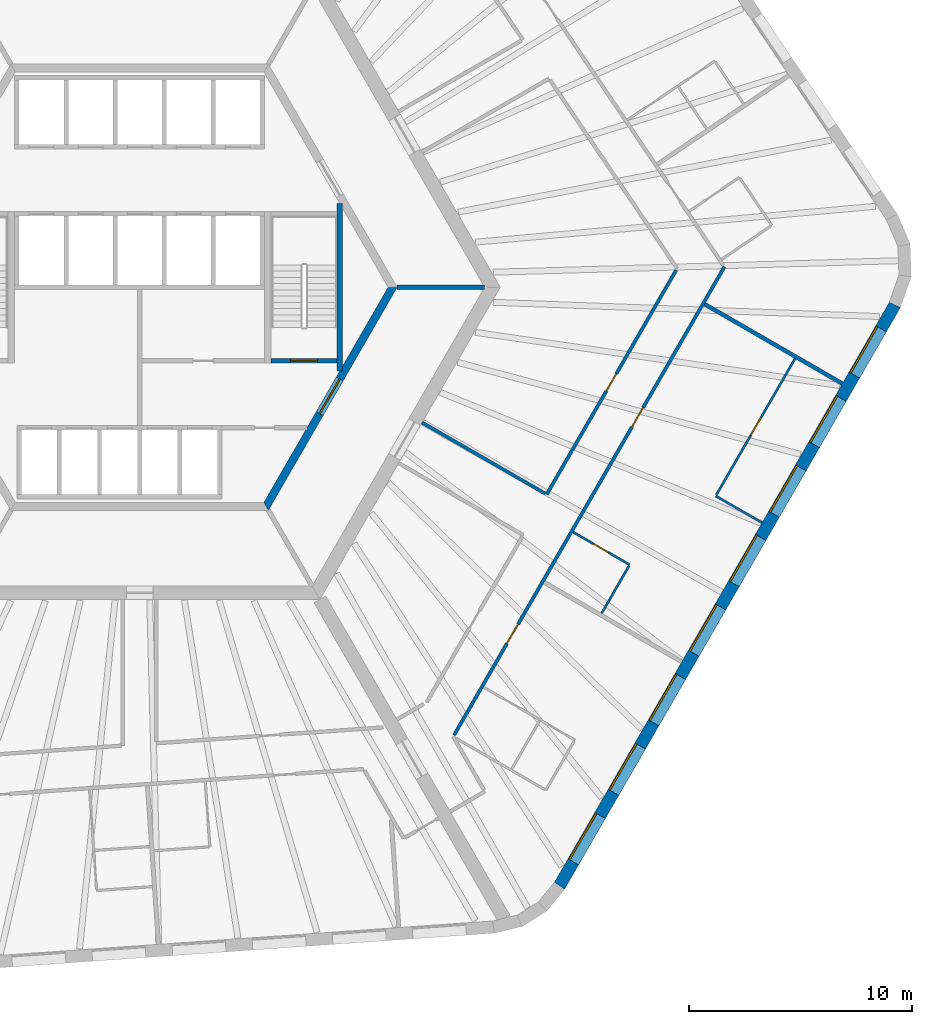
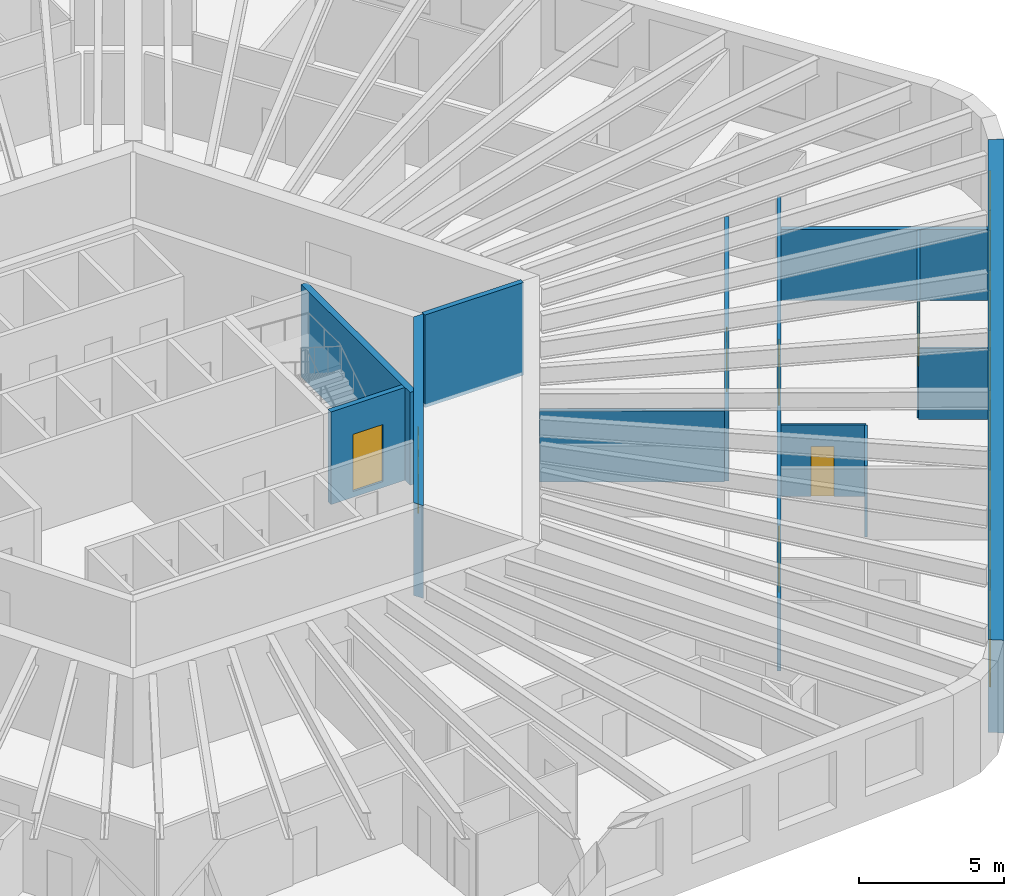
# One storey, part 6 of 11: 13 walls, 8 windows, 7 doors, 15 openings.
"""IFC4 building model written with IfcOpenShell, lengths in metres."""

from ifc_helpers import new_model, si_unit, direction, frame, frame_2d, origin, place, context, subcontext, project, spatial, polyline, rectangle, outline, extrude, material, layer, layer_set, type_object, element, fill, save


model = new_model("IFC4")

# Units and contexts
model_context = context("Model", 3, precision=1e-05, world=origin(), true_north=direction((0.0, 1.0)))
body_context = subcontext(model_context, "Body", "Model", "MODEL_VIEW")
ifc_project = project(units=[si_unit("LENGTHUNIT", "METRE"), si_unit("AREAUNIT", "SQUARE_METRE"), si_unit("VOLUMEUNIT", "CUBIC_METRE"), si_unit("PLANEANGLEUNIT", "RADIAN"), si_unit("MASSUNIT", "GRAM", prefix="KILO")], contexts=[model_context])

# Site, building, storey
site_placement = place(None, origin())
site = spatial("IfcSite", under=ifc_project, at=site_placement, CompositionType="ELEMENT")
building_placement = place(site_placement, origin())
building = spatial("IfcBuilding", under=site, at=building_placement, Name="Tarnside Tower", CompositionType="ELEMENT")
storey_placement = place(building_placement, frame((0.0, 0.0, 107.699951171875)))
storey = spatial("IfcBuildingStorey", under=building, at=storey_placement, Name="L24", CompositionType="ELEMENT", Elevation=107.699951171875)

# Wall, opening, door
ifc_material_1 = material(Name="Gypsum board partition on steel studs", Category="steel")
ifc_layer_1 = layer(ifc_material_1, 0.10009765625)
ifc_layer_set_1 = layer_set([ifc_layer_1], Name="Bathroom wall 100")
wall_type_1 = type_object("IfcWallType", Name="Bathroom wall 100", PredefinedType="PARTITIONING", material=ifc_layer_set_1)
wall_1_placement = place(storey_placement, frame((19.439453125, -10.979736328125, 0.0), z_axis=(0.0, 0.0, 1.0), x_axis=(0.866046596414, -0.499963291492, 0.0)))
wall_1 = element("IfcWall", 1, at=wall_1_placement, inside=storey, type_object=wall_type_1, Name="Bathroom wall 07139", PredefinedType="PARTITIONING", context=body_context, shape_type="SweptSolid", body=[
    extrude(rectangle(XDim=2.925048828125, YDim=0.10009765625, at=frame_2d((1.46240234375, 0.0))), origin(), (0.0, 0.0, 1.0), 2.98779296875),
])
opening_1_placement = place(wall_1_placement, frame((1.02490234375, 0.0, 0.0)))
opening_1 = element("IfcOpeningElement", 2, at=opening_1_placement, cuts=wall_1, Name="Opening D-B1", PredefinedType="OPENING", context=body_context, shape_type="SweptSolid", body=[
    extrude(rectangle(XDim=0.800048828125, YDim=2.10009765625, at=frame_2d((0.39990234375, 1.050048828125))), frame((0.0, 0.06005859375, 0.0), z_axis=(0.0, -1.0, 0.0), x_axis=(1.0, 0.0, 0.0)), (0.0, 0.0, 1.0), 0.1201171875),
])
ifc_material_2 = material(Name="Timber door leaf", Category="wood")
door_type_1 = type_object("IfcDoorType", Name="Bathroom door 800", OperationType="NOTDEFINED", PredefinedType="DOOR", material=ifc_material_2)
door_1_placement = place(opening_1_placement, origin())
door_1 = element("IfcDoor", 3, at=door_1_placement, inside=storey, type_object=door_type_1, Name="Bathroom door 07033", OperationType="SINGLE_SWING_RIGHT", OverallHeight=2.10009765625, OverallWidth=0.800048828125, PredefinedType="DOOR", context=body_context, shape_type="SweptSolid", body=[
    extrude(rectangle(XDim=0.800048828125, YDim=2.10009765625, at=frame_2d((0.39990234375, 1.050048828125))), frame((0.0, 0.02490234375, 0.0), z_axis=(0.0, -1.0, 0.0), x_axis=(1.0, 0.0, 0.0)), (0.0, 0.0, 1.0), 0.050048828125),
])
fill(opening_1, door_1)

# Wall
wall_2_placement = place(storey_placement, frame((21.94775390625, -12.485595703125, 0.0), z_axis=(0.0, 0.0, 1.0), x_axis=(-0.500003092839, -0.866023618125, 0.0)))
element("IfcWall", 4, at=wall_2_placement, inside=storey, type_object=wall_type_1, Name="Bathroom wall 07140", PredefinedType="PARTITIONING", context=body_context, shape_type="SweptSolid", body=[
    extrude(rectangle(XDim=2.4599609375, YDim=0.10009765625, at=frame_2d((1.22998046875, 0.0))), origin(), (0.0, 0.0, 1.0), 2.98779296875),
])

# Wall, opening, door
ifc_material_3 = material(Name="Concrete C50/60", Category="concrete")
ifc_layer_2 = layer(ifc_material_3, 0.35009765625)
ifc_layer_set_2 = layer_set([ifc_layer_2], Name="Core block wall 350 C50/60")
wall_type_2 = type_object("IfcWallType", Name="Core block wall 350 C50/60", PredefinedType="SHEAR", material=ifc_layer_set_2)
wall_3_placement = place(storey_placement, frame((5.672607421875, -9.824951171875, -0.14990234375), z_axis=(0.0, 0.0, 1.0), x_axis=(0.499995046907, 0.866028263435, 0.0)))
wall_3 = element("IfcWall", 5, at=wall_3_placement, inside=storey, type_object=wall_type_2, Name="L24 core block wall face 5", PredefinedType="SHEAR", context=body_context, shape_type="SweptSolid", body=[
    extrude(outline(polyline([(-0.10107421875, -0.175048828125), (11.44580078125, -0.175048828125), (11.24365234375, 0.175048828125), (0.10107421875, 0.175048828125), (-0.10107421875, -0.175048828125)])), origin(), (0.0, 0.0, 1.0), 3.89990234375),
])
opening_2_placement = place(wall_3_placement, frame((4.80126953125, 0.0, 0.14990234375)))
opening_2 = element("IfcOpeningElement", 6, at=opening_2_placement, cuts=wall_3, Name="Opening CD-FFL", PredefinedType="OPENING", context=body_context, shape_type="SweptSolid", body=[
    extrude(rectangle(XDim=1.800048828125, YDim=2.39990234375, at=frame_2d((0.89990234375, 1.199951171875))), frame((0.0, 0.18505859375, 0.0), z_axis=(0.0, -1.0, 0.0), x_axis=(1.0, 0.0, 0.0)), (0.0, 0.0, 1.0), 0.3701171875),
])
ifc_material_4 = material(Name="Steel fire door", Category="steel")
door_type_2 = type_object("IfcDoorType", Name="Firefighting lobby double door FD60S 1800x2400", OperationType="NOTDEFINED", PredefinedType="DOOR", material=ifc_material_4)
door_2_placement = place(opening_2_placement, origin())
door_2 = element("IfcDoor", 7, at=door_2_placement, inside=storey, type_object=door_type_2, Name="L24 lobby block door P4", OperationType="DOUBLE_DOOR_SINGLE_SWING", OverallHeight=2.39990234375, OverallWidth=1.800048828125, PredefinedType="DOOR", context=body_context, shape_type="SweptSolid", body=[
    extrude(rectangle(XDim=1.800048828125, YDim=2.39990234375, at=frame_2d((0.89990234375, 1.199951171875))), frame((0.0, 0.02490234375, 0.0), z_axis=(0.0, -1.0, 0.0), x_axis=(1.0, 0.0, 0.0)), (0.0, 0.0, 1.0), 0.050048828125),
])
fill(opening_2, door_2)

# Wall, openings, doors
ifc_layer_3 = layer(ifc_material_1, 0.14990234375)
ifc_layer_set_3 = layer_set([ifc_layer_3], Name="Corridor wall 150 EI 60")
wall_type_3 = type_object("IfcWallType", Name="Corridor wall 150 EI 60", PredefinedType="PARTITIONING", material=ifc_layer_set_3)
wall_4_placement = place(storey_placement, frame((14.101806640625, -20.074951171875, 0.0), z_axis=(0.0, 0.0, 1.0), x_axis=(0.499996816197, 0.866027241946, 0.0)))
wall_4 = element("IfcWall", 8, at=wall_4_placement, inside=storey, type_object=wall_type_3, Name="Corridor wall 07054", PredefinedType="PARTITIONING", context=body_context, shape_type="SweptSolid", body=[
    extrude(rectangle(XDim=24.238037109375, YDim=0.14990234375, at=frame_2d((12.119140625, 0.0))), origin(), (0.0, 0.0, 1.0), 2.98779296875),
])
opening_3_placement = place(wall_4_placement, frame((4.7294921875, 0.0, 0.0)))
opening_3 = element("IfcOpeningElement", 9, at=opening_3_placement, cuts=wall_4, Name="Opening D-E1", PredefinedType="OPENING", context=body_context, shape_type="SweptSolid", body=[
    extrude(rectangle(XDim=1.0, YDim=2.10009765625, at=frame_2d((0.5, 1.050048828125))), frame((0.0, 0.0849609375, 0.0), z_axis=(0.0, -1.0, 0.0), x_axis=(1.0, 0.0, 0.0)), (0.0, 0.0, 1.0), 0.169921875),
])
opening_4_placement = place(wall_4_placement, frame((15.945556640625, 0.0, 0.0)))
opening_4 = element("IfcOpeningElement", 10, at=opening_4_placement, cuts=wall_4, Name="Opening D-E1", PredefinedType="OPENING", context=body_context, shape_type="SweptSolid", body=[
    extrude(rectangle(XDim=1.0, YDim=2.10009765625, at=frame_2d((0.5, 1.050048828125))), frame((0.0, 0.0849609375, 0.0), z_axis=(0.0, -1.0, 0.0), x_axis=(1.0, 0.0, 0.0)), (0.0, 0.0, 1.0), 0.169921875),
])
door_type_3 = type_object("IfcDoorType", Name="Unit entrance door 1000 FD30S", OperationType="NOTDEFINED", PredefinedType="DOOR", material=ifc_material_2)
door_3_placement = place(opening_3_placement, origin())
door_3 = element("IfcDoor", 11, at=door_3_placement, inside=storey, type_object=door_type_3, Name="Unit door 07029", OperationType="SINGLE_SWING_LEFT", OverallHeight=2.10009765625, OverallWidth=1.0, PredefinedType="DOOR", context=body_context, shape_type="SweptSolid", body=[
    extrude(rectangle(XDim=1.0, YDim=2.10009765625, at=frame_2d((0.5, 1.050048828125))), frame((0.0, 0.02490234375, 0.0), z_axis=(0.0, -1.0, 0.0), x_axis=(1.0, 0.0, 0.0)), (0.0, 0.0, 1.0), 0.050048828125),
])
fill(opening_3, door_3)
door_4_placement = place(opening_4_placement, origin())
door_4 = element("IfcDoor", 12, at=door_4_placement, inside=storey, type_object=door_type_3, Name="Unit door 07032", OperationType="SINGLE_SWING_LEFT", OverallHeight=2.10009765625, OverallWidth=1.0, PredefinedType="DOOR", context=body_context, shape_type="SweptSolid", body=[
    extrude(rectangle(XDim=1.0, YDim=2.10009765625, at=frame_2d((0.5, 1.050048828125))), frame((0.0, 0.02490234375, 0.0), z_axis=(0.0, -1.0, 0.0), x_axis=(1.0, 0.0, 0.0)), (0.0, 0.0, 1.0), 0.050048828125),
])
fill(opening_4, door_4)

# Wall, opening, door
wall_5_placement = place(storey_placement, frame((24.057861328125, 0.769287109375, 0.0), z_axis=(0.0, 0.0, 1.0), x_axis=(-0.499995346943, -0.866028090212, 0.0)))
wall_5 = element("IfcWall", 13, at=wall_5_placement, inside=storey, type_object=wall_type_3, Name="Corridor wall 07069", PredefinedType="PARTITIONING", context=body_context, shape_type="SweptSolid", body=[
    extrude(rectangle(XDim=11.6162109375, YDim=0.14990234375, at=frame_2d((5.80810546875, 0.0))), origin(), (0.0, 0.0, 1.0), 2.98779296875),
])
opening_5_placement = place(wall_5_placement, frame((5.358154296875, 0.0, 0.0)))
opening_5 = element("IfcOpeningElement", 14, at=opening_5_placement, cuts=wall_5, Name="Opening D-S1", PredefinedType="OPENING", context=body_context, shape_type="SweptSolid", body=[
    extrude(rectangle(XDim=0.89990234375, YDim=2.10009765625, at=frame_2d((0.449951171875, 1.050048828125))), frame((0.0, 0.0849609375, 0.0), z_axis=(0.0, -1.0, 0.0), x_axis=(1.0, 0.0, 0.0)), (0.0, 0.0, 1.0), 0.169921875),
])
door_type_4 = type_object("IfcDoorType", Name="Service room door 900 FD30S", OperationType="NOTDEFINED", PredefinedType="DOOR", material=ifc_material_2)
door_5_placement = place(opening_5_placement, origin())
door_5 = element("IfcDoor", 15, at=door_5_placement, inside=storey, type_object=door_type_4, Name="Service door 07048", OperationType="SINGLE_SWING_LEFT", OverallHeight=2.10009765625, OverallWidth=0.89990234375, PredefinedType="DOOR", context=body_context, shape_type="SweptSolid", body=[
    extrude(rectangle(XDim=0.89990234375, YDim=2.10009765625, at=frame_2d((0.449951171875, 1.050048828125))), frame((0.0, 0.02490234375, 0.0), z_axis=(0.0, -1.0, 0.0), x_axis=(1.0, 0.0, 0.0)), (0.0, 0.0, 1.0), 0.050048828125),
])
fill(opening_5, door_5)

# Walls
wall_6_placement = place(storey_placement, frame((18.184814453125, -9.253173828125, 0.0), z_axis=(0.0, 0.0, 1.0), x_axis=(-0.866028703517, 0.499994284652, 0.0)))
element("IfcWall", 16, at=wall_6_placement, inside=storey, type_object=wall_type_3, Name="Corridor wall 07070", PredefinedType="PARTITIONING", context=body_context, shape_type="SweptSolid", body=[
    extrude(rectangle(XDim=6.375, YDim=0.14990234375, at=frame_2d((3.1875, 0.0))), origin(), (0.0, 0.0, 1.0), 2.98779296875),
])
ifc_layer_4 = layer(ifc_material_1, 0.179931640625)
ifc_layer_set_4 = layer_set([ifc_layer_4], Name="Demising wall 180 EI 60")
wall_type_4 = type_object("IfcWallType", Name="Demising wall 180 EI 60", PredefinedType="PARTITIONING", material=ifc_layer_set_4)
wall_7_placement = place(storey_placement, frame((31.510009765625, -4.3232421875, 0.0), z_axis=(0.0, 0.0, 1.0), x_axis=(-0.866009834831, 0.500026965249, 0.0)))
element("IfcWall", 17, at=wall_7_placement, inside=storey, type_object=wall_type_4, Name="Demising wall 07143", PredefinedType="PARTITIONING", context=body_context, shape_type="SweptSolid", body=[
    extrude(rectangle(XDim=7.125, YDim=0.179931640625, at=frame_2d((3.5625, 0.0))), origin(), (0.0, 0.0, 1.0), 2.98779296875),
])
ifc_material_5 = material(Name="Concrete C40/50", Category="concrete")
ifc_layer_5 = layer(ifc_material_5, 0.199951171875)
ifc_layer_set_5 = layer_set([ifc_layer_5], Name="Lift shaft wall 200 C40/50")
wall_type_5 = type_object("IfcWallType", Name="Lift shaft wall 200 C40/50", PredefinedType="SHEAR", material=ifc_layer_set_5)
wall_8_placement = place(storey_placement, frame((11.547119140625, 0.0, -0.14990234375), z_axis=(0.0, 0.0, 1.0), x_axis=(1.0, 0.0, 0.0)))
element("IfcWall", 18, at=wall_8_placement, inside=storey, type_object=wall_type_5, Name="L24 core partition AR0", PredefinedType="SHEAR", context=body_context, shape_type="SweptSolid", body=[
    extrude(rectangle(XDim=3.92578125, YDim=0.199951171875, at=frame_2d((1.962890625, 0.0))), origin(), (0.0, 0.0, 1.0), 3.89990234375),
])

# Wall, opening, door
wall_9_placement = place(storey_placement, frame((5.89990234375, -3.300048828125, -0.25), z_axis=(0.0, 0.0, 1.0), x_axis=(1.0, 0.0, 0.0)))
wall_9 = element("IfcWall", 19, at=wall_9_placement, inside=storey, type_object=wall_type_5, Name="L24 stair 1 enclosure cap wall s", PredefinedType="SHEAR", context=body_context, shape_type="SweptSolid", body=[
    extrude(rectangle(XDim=2.9501953125, YDim=0.199951171875, at=frame_2d((1.47509765625, 0.0))), origin(), (0.0, 0.0, 1.0), 3.900146484375),
])
opening_6_placement = place(wall_9_placement, frame((0.875, 0.0, 0.25)))
opening_6 = element("IfcOpeningElement", 20, at=opening_6_placement, cuts=wall_9, Name="Opening CD-STR", PredefinedType="OPENING", context=body_context, shape_type="SweptSolid", body=[
    extrude(rectangle(XDim=1.199951171875, YDim=2.39990234375, at=frame_2d((0.60009765625, 1.199951171875))), frame((0.0, 0.10986328125, 0.0), z_axis=(0.0, -1.0, 0.0), x_axis=(1.0, 0.0, 0.0)), (0.0, 0.0, 1.0), 0.219970703125),
])
door_type_5 = type_object("IfcDoorType", Name="Stair door FD60S 1200x2400", OperationType="NOTDEFINED", PredefinedType="DOOR", material=ifc_material_4)
door_6_placement = place(opening_6_placement, origin())
door_6 = element("IfcDoor", 21, at=door_6_placement, inside=storey, type_object=door_type_5, Name="L24 stair 1 door", OperationType="SINGLE_SWING_LEFT", OverallHeight=2.39990234375, OverallWidth=1.199951171875, PredefinedType="DOOR", context=body_context, shape_type="SweptSolid", body=[
    extrude(rectangle(XDim=1.199951171875, YDim=2.39990234375, at=frame_2d((0.60009765625, 1.199951171875))), frame((0.0, 0.02490234375, 0.0), z_axis=(0.0, -1.0, 0.0), x_axis=(1.0, 0.0, 0.0)), (0.0, 0.0, 1.0), 0.050048828125),
])
fill(opening_6, door_6)

# Wall
ifc_layer_6 = layer(ifc_material_1, 0.10009765625)
ifc_layer_set_6 = layer_set([ifc_layer_6], Name="Partition 100")
wall_type_6 = type_object("IfcWallType", Name="Partition 100", PredefinedType="PARTITIONING", material=ifc_layer_set_6)
wall_10_placement = place(storey_placement, frame((27.909912109375, -10.55859375, 0.0), z_axis=(0.0, 0.0, 1.0), x_axis=(-0.865980596518, 0.500077600433, 0.0)))
element("IfcWall", 22, at=wall_10_placement, inside=storey, type_object=wall_type_6, Name="Partition wall 07141", PredefinedType="PARTITIONING", context=body_context, shape_type="SweptSolid", body=[
    extrude(rectangle(XDim=2.39990234375, YDim=0.10009765625, at=frame_2d((1.199951171875, 0.0))), origin(), (0.0, 0.0, 1.0), 2.98779296875),
])

# Wall, opening, door
wall_11_placement = place(storey_placement, frame((25.8564453125, -9.315185546875, 0.0), z_axis=(0.0, 0.0, 1.0), x_axis=(0.500010820671, 0.866019156377, 0.0)))
wall_11 = element("IfcWall", 23, at=wall_11_placement, inside=storey, type_object=wall_type_6, Name="Partition wall 07142", PredefinedType="PARTITIONING", context=body_context, shape_type="SweptSolid", body=[
    extrude(rectangle(XDim=7.059814453125, YDim=0.10009765625, at=frame_2d((3.52978515625, 0.0))), origin(), (0.0, 0.0, 1.0), 2.98779296875),
])
opening_7_placement = place(wall_11_placement, frame((3.10009765625, 0.0, 0.0)))
opening_7 = element("IfcOpeningElement", 24, at=opening_7_placement, cuts=wall_11, Name="Opening D-I1", PredefinedType="OPENING", context=body_context, shape_type="SweptSolid", body=[
    extrude(rectangle(XDim=0.89990234375, YDim=2.10009765625, at=frame_2d((0.449951171875, 1.050048828125))), frame((0.0, 0.06005859375, 0.0), z_axis=(0.0, -1.0, 0.0), x_axis=(1.0, 0.0, 0.0)), (0.0, 0.0, 1.0), 0.1201171875),
])
door_type_6 = type_object("IfcDoorType", Name="Internal door 900", OperationType="NOTDEFINED", PredefinedType="DOOR", material=ifc_material_2)
door_7_placement = place(opening_7_placement, origin())
door_7 = element("IfcDoor", 25, at=door_7_placement, inside=storey, type_object=door_type_6, Name="Internal door 07034", OperationType="SINGLE_SWING_RIGHT", OverallHeight=2.10009765625, OverallWidth=0.89990234375, PredefinedType="DOOR", context=body_context, shape_type="SweptSolid", body=[
    extrude(rectangle(XDim=0.89990234375, YDim=2.10009765625, at=frame_2d((0.449951171875, 1.050048828125))), frame((0.0, 0.02490234375, 0.0), z_axis=(0.0, -1.0, 0.0), x_axis=(1.0, 0.0, 0.0)), (0.0, 0.0, 1.0), 0.050048828125),
])
fill(opening_7, door_7)

# Wall
ifc_layer_7 = layer(ifc_material_5, 0.25)
ifc_layer_set_7 = layer_set([ifc_layer_7], Name="Stair enclosure wall 250 C40/50")
wall_type_7 = type_object("IfcWallType", Name="Stair enclosure wall 250 C40/50", PredefinedType="SHEAR", material=ifc_layer_set_7)
wall_12_placement = place(storey_placement, frame((8.97509765625, -3.7548828125, -0.25), z_axis=(0.0, 0.0, 1.0), x_axis=(0.0, 1.0, 0.0)))
element("IfcWall", 26, at=wall_12_placement, inside=storey, type_object=wall_type_7, Name="L24 stair 1 enclosure wall outer", PredefinedType="SHEAR", context=body_context, shape_type="SweptSolid", body=[
    extrude(rectangle(XDim=7.509765625, YDim=0.25, at=frame_2d((3.7548828125, 0.0))), origin(), (0.0, 0.0, 1.0), 3.900146484375),
])

# Wall, openings, windows
ifc_material_6 = material(Name="Facing brick", Category="masonry")
ifc_layer_8 = layer(ifc_material_6, 0.10205078125)
ifc_material_7 = material(Name="Concrete C60/75 precast", Category="concrete")
ifc_layer_9 = layer(ifc_material_7, 0.347900390625)
ifc_material_8 = material(Name="Mineral wool insulation")
ifc_layer_10 = layer(ifc_material_8, 0.10009765625)
ifc_layer_set_8 = layer_set([ifc_layer_8, ifc_layer_9, ifc_layer_10], Name="Tube wall 550 brick faced")
wall_type_8 = type_object("IfcWallType", Name="Tube wall 550 brick faced", PredefinedType="SOLIDWALL", material=ifc_layer_set_8)
wall_13_placement = place(storey_placement, frame((18.830322265625, -26.834716796875, -0.14990234375), z_axis=(0.0, 0.0, 1.0), x_axis=(0.500003800416, 0.866023209602, 0.0)))
wall_13 = element("IfcWall", 27, at=wall_13_placement, inside=storey, type_object=wall_type_8, Name="Tube wall L24 F5 flush 16", PredefinedType="SOLIDWALL", context=body_context, shape_type="SweptSolid", body=[
    extrude(outline(polyline([(-0.0224609375, -0.27490234375), (30.0966796875, -0.27490234375), (30.04541015625, 0.27490234375), (0.0224609375, 0.27490234375), (-0.0224609375, -0.27490234375)])), origin(), (0.0, 0.0, 1.0), 3.89990234375),
])
opening_8_placement = place(wall_13_placement, frame((1.235595703125, 0.0, 1.050048828125)))
opening_8 = element("IfcOpeningElement", 28, at=opening_8_placement, cuts=wall_13, Name="Opening WH", PredefinedType="OPENING", context=body_context, shape_type="SweptSolid", body=[
    extrude(rectangle(XDim=2.39990234375, YDim=2.39990234375, at=frame_2d((1.199951171875, 1.199951171875))), frame((0.0, 0.28515625, 0.0), z_axis=(0.0, -1.0, 0.0), x_axis=(1.0, 0.0, 0.0)), (0.0, 0.0, 1.0), 0.570068359375),
])
opening_9_placement = place(wall_13_placement, frame((4.83544921875, 0.0, 1.050048828125)))
opening_9 = element("IfcOpeningElement", 29, at=opening_9_placement, cuts=wall_13, Name="Opening WH", PredefinedType="OPENING", context=body_context, shape_type="SweptSolid", body=[
    extrude(rectangle(XDim=2.39990234375, YDim=2.39990234375, at=frame_2d((1.199951171875, 1.199951171875))), frame((0.0, 0.28515625, 0.0), z_axis=(0.0, -1.0, 0.0), x_axis=(1.0, 0.0, 0.0)), (0.0, 0.0, 1.0), 0.570068359375),
])
opening_10_placement = place(wall_13_placement, frame((8.435546875, 0.0, 1.050048828125)))
opening_10 = element("IfcOpeningElement", 30, at=opening_10_placement, cuts=wall_13, Name="Opening WH", PredefinedType="OPENING", context=body_context, shape_type="SweptSolid", body=[
    extrude(rectangle(XDim=2.39990234375, YDim=2.39990234375, at=frame_2d((1.199951171875, 1.199951171875))), frame((0.0, 0.28515625, 0.0), z_axis=(0.0, -1.0, 0.0), x_axis=(1.0, 0.0, 0.0)), (0.0, 0.0, 1.0), 0.570068359375),
])
opening_11_placement = place(wall_13_placement, frame((12.035400390625, 0.0, 1.050048828125)))
opening_11 = element("IfcOpeningElement", 31, at=opening_11_placement, cuts=wall_13, Name="Opening WH", PredefinedType="OPENING", context=body_context, shape_type="SweptSolid", body=[
    extrude(rectangle(XDim=2.39990234375, YDim=2.39990234375, at=frame_2d((1.199951171875, 1.199951171875))), frame((0.0, 0.28515625, 0.0), z_axis=(0.0, -1.0, 0.0), x_axis=(1.0, 0.0, 0.0)), (0.0, 0.0, 1.0), 0.570068359375),
])
opening_12_placement = place(wall_13_placement, frame((15.635498046875, 0.0, 1.050048828125)))
opening_12 = element("IfcOpeningElement", 32, at=opening_12_placement, cuts=wall_13, Name="Opening WH", PredefinedType="OPENING", context=body_context, shape_type="SweptSolid", body=[
    extrude(rectangle(XDim=2.39990234375, YDim=2.39990234375, at=frame_2d((1.199951171875, 1.199951171875))), frame((0.0, 0.28515625, 0.0), z_axis=(0.0, -1.0, 0.0), x_axis=(1.0, 0.0, 0.0)), (0.0, 0.0, 1.0), 0.570068359375),
])
opening_13_placement = place(wall_13_placement, frame((19.235595703125, 0.0, 1.050048828125)))
opening_13 = element("IfcOpeningElement", 33, at=opening_13_placement, cuts=wall_13, Name="Opening WH", PredefinedType="OPENING", context=body_context, shape_type="SweptSolid", body=[
    extrude(rectangle(XDim=2.39990234375, YDim=2.39990234375, at=frame_2d((1.199951171875, 1.199951171875))), frame((0.0, 0.28515625, 0.0), z_axis=(0.0, -1.0, 0.0), x_axis=(1.0, 0.0, 0.0)), (0.0, 0.0, 1.0), 0.570068359375),
])
opening_14_placement = place(wall_13_placement, frame((22.83544921875, 0.0, 1.050048828125)))
opening_14 = element("IfcOpeningElement", 34, at=opening_14_placement, cuts=wall_13, Name="Opening WH", PredefinedType="OPENING", context=body_context, shape_type="SweptSolid", body=[
    extrude(rectangle(XDim=2.39990234375, YDim=2.39990234375, at=frame_2d((1.199951171875, 1.199951171875))), frame((0.0, 0.28515625, 0.0), z_axis=(0.0, -1.0, 0.0), x_axis=(1.0, 0.0, 0.0)), (0.0, 0.0, 1.0), 0.570068359375),
])
opening_15_placement = place(wall_13_placement, frame((26.435546875, 0.0, 1.050048828125)))
opening_15 = element("IfcOpeningElement", 35, at=opening_15_placement, cuts=wall_13, Name="Opening WH", PredefinedType="OPENING", context=body_context, shape_type="SweptSolid", body=[
    extrude(rectangle(XDim=2.39990234375, YDim=2.39990234375, at=frame_2d((1.199951171875, 1.199951171875))), frame((0.0, 0.28515625, 0.0), z_axis=(0.0, -1.0, 0.0), x_axis=(1.0, 0.0, 0.0)), (0.0, 0.0, 1.0), 0.570068359375),
])
ifc_material_9 = material(Name="Aluminium-framed double glazing", Category="aluminium")
window_type = type_object("IfcWindowType", Name="Hotel window 2400 x 2400", PartitioningType="DOUBLE_PANEL_VERTICAL", PredefinedType="WINDOW", material=ifc_material_9)
window_1_placement = place(opening_8_placement, frame((0.0, 0.205078125, 0.0)))
window_1 = element("IfcWindow", 36, at=window_1_placement, inside=storey, type_object=window_type, Name="E.WN.L24.F5.00", OverallHeight=2.39990234375, OverallWidth=2.39990234375, PartitioningType="DOUBLE_PANEL_VERTICAL", PredefinedType="WINDOW", context=body_context, shape_type="SweptSolid", body=[
    extrude(rectangle(XDim=2.39990234375, YDim=2.39990234375, at=frame_2d((1.199951171875, 1.199951171875))), frame((0.0, 0.030029296875, 0.0), z_axis=(0.0, -1.0, 0.0), x_axis=(1.0, 0.0, 0.0)), (0.0, 0.0, 1.0), 0.06005859375),
])
fill(opening_8, window_1)
window_2_placement = place(opening_9_placement, frame((0.0, 0.205078125, 0.0)))
window_2 = element("IfcWindow", 37, at=window_2_placement, inside=storey, type_object=window_type, Name="E.WN.L24.F5.01", OverallHeight=2.39990234375, OverallWidth=2.39990234375, PartitioningType="DOUBLE_PANEL_VERTICAL", PredefinedType="WINDOW", context=body_context, shape_type="SweptSolid", body=[
    extrude(rectangle(XDim=2.39990234375, YDim=2.39990234375, at=frame_2d((1.199951171875, 1.199951171875))), frame((0.0, 0.030029296875, 0.0), z_axis=(0.0, -1.0, 0.0), x_axis=(1.0, 0.0, 0.0)), (0.0, 0.0, 1.0), 0.06005859375),
])
fill(opening_9, window_2)
window_3_placement = place(opening_10_placement, frame((0.0, 0.205078125, 0.0)))
window_3 = element("IfcWindow", 38, at=window_3_placement, inside=storey, type_object=window_type, Name="E.WN.L24.F5.02", OverallHeight=2.39990234375, OverallWidth=2.39990234375, PartitioningType="DOUBLE_PANEL_VERTICAL", PredefinedType="WINDOW", context=body_context, shape_type="SweptSolid", body=[
    extrude(rectangle(XDim=2.39990234375, YDim=2.39990234375, at=frame_2d((1.199951171875, 1.199951171875))), frame((0.0, 0.030029296875, 0.0), z_axis=(0.0, -1.0, 0.0), x_axis=(1.0, 0.0, 0.0)), (0.0, 0.0, 1.0), 0.06005859375),
])
fill(opening_10, window_3)
window_4_placement = place(opening_11_placement, frame((0.0, 0.205078125, 0.0)))
window_4 = element("IfcWindow", 39, at=window_4_placement, inside=storey, type_object=window_type, Name="E.WN.L24.F5.03", OverallHeight=2.39990234375, OverallWidth=2.39990234375, PartitioningType="DOUBLE_PANEL_VERTICAL", PredefinedType="WINDOW", context=body_context, shape_type="SweptSolid", body=[
    extrude(rectangle(XDim=2.39990234375, YDim=2.39990234375, at=frame_2d((1.199951171875, 1.199951171875))), frame((0.0, 0.030029296875, 0.0), z_axis=(0.0, -1.0, 0.0), x_axis=(1.0, 0.0, 0.0)), (0.0, 0.0, 1.0), 0.06005859375),
])
fill(opening_11, window_4)
window_5_placement = place(opening_12_placement, frame((0.0, 0.205078125, 0.0)))
window_5 = element("IfcWindow", 40, at=window_5_placement, inside=storey, type_object=window_type, Name="E.WN.L24.F5.04", OverallHeight=2.39990234375, OverallWidth=2.39990234375, PartitioningType="DOUBLE_PANEL_VERTICAL", PredefinedType="WINDOW", context=body_context, shape_type="SweptSolid", body=[
    extrude(rectangle(XDim=2.39990234375, YDim=2.39990234375, at=frame_2d((1.199951171875, 1.199951171875))), frame((0.0, 0.030029296875, 0.0), z_axis=(0.0, -1.0, 0.0), x_axis=(1.0, 0.0, 0.0)), (0.0, 0.0, 1.0), 0.06005859375),
])
fill(opening_12, window_5)
window_6_placement = place(opening_13_placement, frame((0.0, 0.205078125, 0.0)))
window_6 = element("IfcWindow", 41, at=window_6_placement, inside=storey, type_object=window_type, Name="E.WN.L24.F5.05", OverallHeight=2.39990234375, OverallWidth=2.39990234375, PartitioningType="DOUBLE_PANEL_VERTICAL", PredefinedType="WINDOW", context=body_context, shape_type="SweptSolid", body=[
    extrude(rectangle(XDim=2.39990234375, YDim=2.39990234375, at=frame_2d((1.199951171875, 1.199951171875))), frame((0.0, 0.030029296875, 0.0), z_axis=(0.0, -1.0, 0.0), x_axis=(1.0, 0.0, 0.0)), (0.0, 0.0, 1.0), 0.06005859375),
])
fill(opening_13, window_6)
window_7_placement = place(opening_14_placement, frame((0.0, 0.205078125, 0.0)))
window_7 = element("IfcWindow", 42, at=window_7_placement, inside=storey, type_object=window_type, Name="E.WN.L24.F5.06", OverallHeight=2.39990234375, OverallWidth=2.39990234375, PartitioningType="DOUBLE_PANEL_VERTICAL", PredefinedType="WINDOW", context=body_context, shape_type="SweptSolid", body=[
    extrude(rectangle(XDim=2.39990234375, YDim=2.39990234375, at=frame_2d((1.199951171875, 1.199951171875))), frame((0.0, 0.030029296875, 0.0), z_axis=(0.0, -1.0, 0.0), x_axis=(1.0, 0.0, 0.0)), (0.0, 0.0, 1.0), 0.06005859375),
])
fill(opening_14, window_7)
window_8_placement = place(opening_15_placement, frame((0.0, 0.205078125, 0.0)))
window_8 = element("IfcWindow", 43, at=window_8_placement, inside=storey, type_object=window_type, Name="E.WN.L24.F5.07", OverallHeight=2.39990234375, OverallWidth=2.39990234375, PartitioningType="DOUBLE_PANEL_VERTICAL", PredefinedType="WINDOW", context=body_context, shape_type="SweptSolid", body=[
    extrude(rectangle(XDim=2.39990234375, YDim=2.39990234375, at=frame_2d((1.199951171875, 1.199951171875))), frame((0.0, 0.030029296875, 0.0), z_axis=(0.0, -1.0, 0.0), x_axis=(1.0, 0.0, 0.0)), (0.0, 0.0, 1.0), 0.06005859375),
])
fill(opening_15, window_8)

save(model, "model.ifc")
